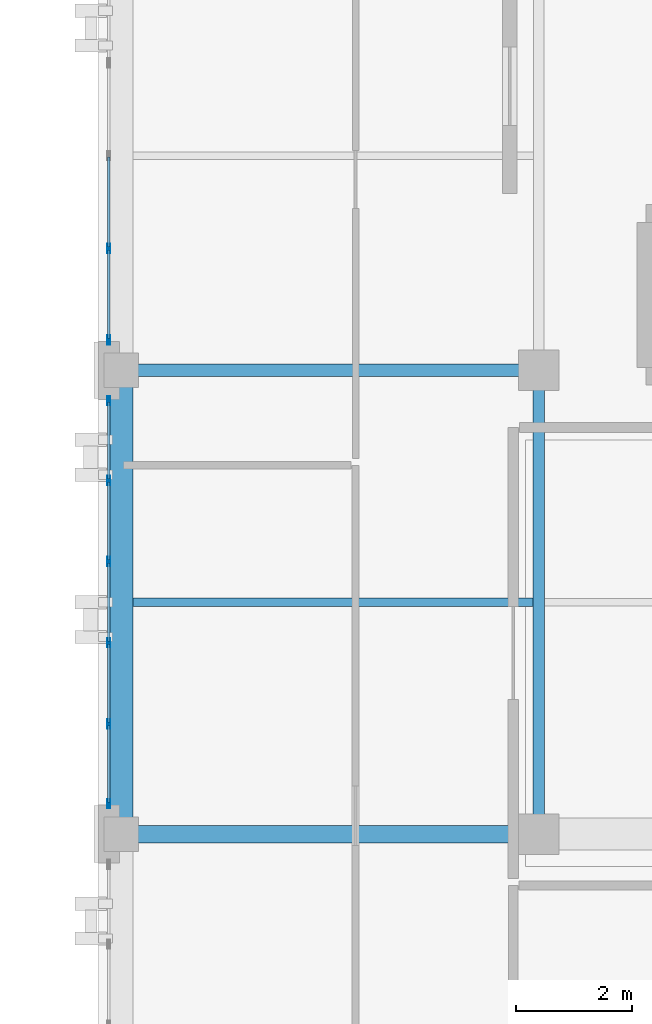
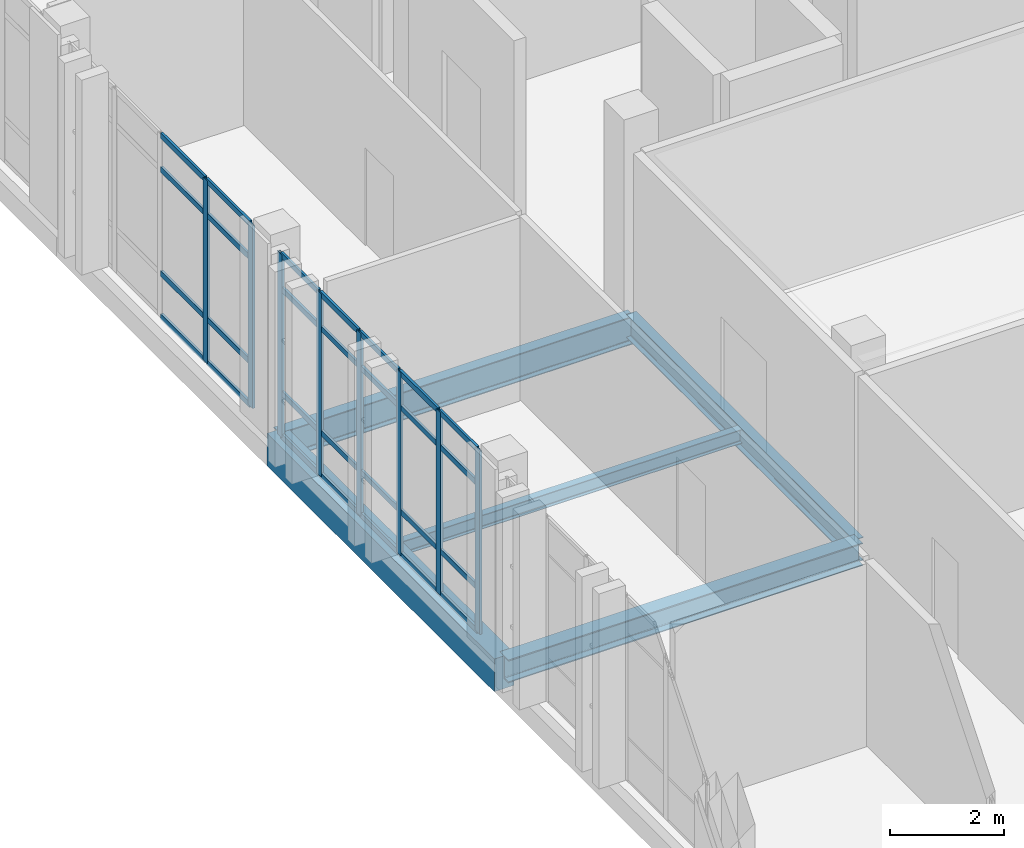
# One storey, part 31 of 77: 36 members, 5 beams, 2 elements without a shape of their own.
"""IFC4 building model written with IfcOpenShell, lengths in metres."""

from ifc_helpers import new_model, si_unit, direction, frame, origin, origin_2d, place, context, subcontext, project, spatial, rectangle, hollow_rectangle, i_section, extrude, material, layer, layer_set, material_profile, profile_set, type_object, element, aggregate, save


model = new_model("IFC4")

# Units and contexts
model_context = context("Model", 3, precision=1e-05, world=origin(), true_north=direction((0.0, 1.0)))
body_context = subcontext(model_context, "Body", "Model", "MODEL_VIEW")
ifc_project = project(units=[si_unit("LENGTHUNIT", "METRE"), si_unit("AREAUNIT", "SQUARE_METRE"), si_unit("VOLUMEUNIT", "CUBIC_METRE"), si_unit("PLANEANGLEUNIT", "RADIAN"), si_unit("MASSUNIT", "GRAM", prefix="KILO")], contexts=[model_context])

# Site, building, storey
site_placement = place(None, origin())
site = spatial("IfcSite", under=ifc_project, at=site_placement, CompositionType="ELEMENT")
building_placement = place(site_placement, origin())
building = spatial("IfcBuilding", under=site, at=building_placement, Name="Qalavern Law Courts", CompositionType="ELEMENT")
storey_placement = place(building_placement, frame((0.0, 0.0, 27.0)))
storey = spatial("IfcBuildingStorey", under=building, at=storey_placement, Name="L06", CompositionType="ELEMENT", Elevation=27.0)

# Curtain wall, members
ifc_material_1 = material(Name="Anodised aluminium and insulated glazing", Category="aluminium")
ifc_layer = layer(ifc_material_1, 0.159912109375)
ifc_layer_set = layer_set([ifc_layer], Name="Anodised aluminium and insulated glazing")
curtain_wall_type = type_object("IfcCurtainWallType", Name="ENV-CW-CHAMB", PredefinedType="USERDEFINED", material=ifc_layer_set)
curtain_wall_1_placement = place(storey_placement, origin())
curtain_wall_1 = element("IfcCurtainWall", 1, at=curtain_wall_1_placement, inside=storey, type_object=curtain_wall_type, Name="V4 unitised curtain wall L06 west 3", ObjectType="UNITISED CURTAIN WALL", PredefinedType="USERDEFINED")
ifc_material_2 = material(Name="Anodised aluminium", Category="aluminium")
ifc_material_profile_1 = material_profile(ifc_material_2, hollow_rectangle(XDim=0.048095703125, YDim=0.159912109375, WallThickness=0.00390625, at=origin_2d()), Name="ALU MULLION 48x160")
ifc_profile_set_1 = profile_set([ifc_material_profile_1], Name="Anodised aluminium")
member_type_1 = type_object("IfcMemberType", Name="ENV-CWM-48x160", PredefinedType="MULLION", material=ifc_profile_set_1)
member_1_placement = place(storey_placement, frame((84.385009765625, 67.5, 0.0), z_axis=(0.0, 0.0, 1.0), x_axis=(1.0, 0.0, 0.0)))
member_1 = element("IfcMember", 2, at=member_1_placement, type_object=member_type_1, Name="CW-04 mullion 4", PredefinedType="MULLION", context=body_context, shape_type="SweptSolid", body=[
    extrude(hollow_rectangle(XDim=0.048095703125, YDim=0.159912109375, WallThickness=0.00390625, at=origin_2d()), origin(), (0.0, 0.0, 1.0), 3.93505859375),
])
member_2_placement = place(storey_placement, frame((84.385009765625, 65.924072265625, 0.0), z_axis=(0.0, 0.0, 1.0), x_axis=(1.0, 0.0, 0.0)))
member_2 = element("IfcMember", 3, at=member_2_placement, type_object=member_type_1, Name="CW-04 mullion 5", PredefinedType="MULLION", context=body_context, shape_type="SweptSolid", body=[
    extrude(hollow_rectangle(XDim=0.048095703125, YDim=0.159912109375, WallThickness=0.00390625, at=origin_2d()), origin(), (0.0, 0.0, 1.0), 3.93505859375),
])

curtain_wall_2_placement = place(storey_placement, origin())
curtain_wall_2 = element("IfcCurtainWall", 4, at=curtain_wall_2_placement, inside=storey, type_object=curtain_wall_type, Name="V4 unitised curtain wall L06 west 4", ObjectType="UNITISED CURTAIN WALL", PredefinedType="USERDEFINED")
member_3_placement = place(storey_placement, frame((84.385009765625, 64.8759765625, 0.0), z_axis=(0.0, 0.0, 1.0), x_axis=(1.0, 0.0, 0.0)))
member_3 = element("IfcMember", 5, at=member_3_placement, type_object=member_type_1, Name="CW-04 mullion 1", PredefinedType="MULLION", context=body_context, shape_type="SweptSolid", body=[
    extrude(hollow_rectangle(XDim=0.048095703125, YDim=0.159912109375, WallThickness=0.00390625, at=origin_2d()), origin(), (0.0, 0.0, 1.0), 3.93505859375),
])
member_4_placement = place(storey_placement, frame((84.385009765625, 63.5, 0.0), z_axis=(0.0, 0.0, 1.0), x_axis=(1.0, 0.0, 0.0)))
member_4 = element("IfcMember", 6, at=member_4_placement, type_object=member_type_1, Name="CW-04 mullion 2", PredefinedType="MULLION", context=body_context, shape_type="SweptSolid", body=[
    extrude(hollow_rectangle(XDim=0.048095703125, YDim=0.159912109375, WallThickness=0.00390625, at=origin_2d()), origin(), (0.0, 0.0, 1.0), 3.93505859375),
])
member_5_placement = place(storey_placement, frame((84.385009765625, 62.10009765625, 0.0), z_axis=(0.0, 0.0, 1.0), x_axis=(1.0, 0.0, 0.0)))
member_5 = element("IfcMember", 7, at=member_5_placement, type_object=member_type_1, Name="CW-04 mullion 3", PredefinedType="MULLION", context=body_context, shape_type="SweptSolid", body=[
    extrude(hollow_rectangle(XDim=0.048095703125, YDim=0.159912109375, WallThickness=0.00390625, at=origin_2d()), origin(), (0.0, 0.0, 1.0), 3.93505859375),
])
member_6_placement = place(storey_placement, frame((84.385009765625, 60.699951171875, 0.0), z_axis=(0.0, 0.0, 1.0), x_axis=(1.0, 0.0, 0.0)))
member_6 = element("IfcMember", 8, at=member_6_placement, type_object=member_type_1, Name="CW-04 mullion 4", PredefinedType="MULLION", context=body_context, shape_type="SweptSolid", body=[
    extrude(hollow_rectangle(XDim=0.048095703125, YDim=0.159912109375, WallThickness=0.00390625, at=origin_2d()), origin(), (0.0, 0.0, 1.0), 3.93505859375),
])
member_7_placement = place(storey_placement, frame((84.385009765625, 59.300048828125, 0.0), z_axis=(0.0, 0.0, 1.0), x_axis=(1.0, 0.0, 0.0)))
member_7 = element("IfcMember", 9, at=member_7_placement, type_object=member_type_1, Name="CW-04 mullion 5", PredefinedType="MULLION", context=body_context, shape_type="SweptSolid", body=[
    extrude(hollow_rectangle(XDim=0.048095703125, YDim=0.159912109375, WallThickness=0.00390625, at=origin_2d()), origin(), (0.0, 0.0, 1.0), 3.93505859375),
])
member_8_placement = place(storey_placement, frame((84.385009765625, 57.924072265625, 0.0), z_axis=(0.0, 0.0, 1.0), x_axis=(1.0, 0.0, 0.0)))
member_8 = element("IfcMember", 10, at=member_8_placement, type_object=member_type_1, Name="CW-04 mullion 6", PredefinedType="MULLION", context=body_context, shape_type="SweptSolid", body=[
    extrude(hollow_rectangle(XDim=0.048095703125, YDim=0.159912109375, WallThickness=0.00390625, at=origin_2d()), origin(), (0.0, 0.0, 1.0), 3.93505859375),
])

# Member
ifc_material_profile_2 = material_profile(ifc_material_2, hollow_rectangle(XDim=0.048095703125, YDim=0.1201171875, WallThickness=0.00390625, at=origin_2d()), Name="ALU TRANSOM 48x120")
ifc_profile_set_2 = profile_set([ifc_material_profile_2], Name="Anodised aluminium")
member_type_2 = type_object("IfcMemberType", Name="ENV-CWT-48x120", PredefinedType="USERDEFINED", material=ifc_profile_set_2)
member_9_placement = place(storey_placement, frame((84.385009765625, 69.075927734375, 0.02392578125), z_axis=(0.0, -1.0, 0.0), x_axis=(1.0, 0.0, 0.0)))
member_9 = element("IfcMember", 11, at=member_9_placement, type_object=member_type_2, Name="CW-04 transom 3.1", ObjectType="TRANSOM", PredefinedType="USERDEFINED", context=body_context, shape_type="SweptSolid", body=[
    extrude(hollow_rectangle(XDim=0.048095703125, YDim=0.1201171875, WallThickness=0.00390625, at=origin_2d()), origin(), (0.0, 0.0, 1.0), 1.552001953125),
])

member_10_placement = place(storey_placement, frame((84.385009765625, 69.075927734375, 0.949951171875), z_axis=(0.0, -1.0, 0.0), x_axis=(1.0, 0.0, 0.0)))
member_10 = element("IfcMember", 12, at=member_10_placement, type_object=member_type_2, Name="CW-04 transom 3.2", ObjectType="TRANSOM", PredefinedType="USERDEFINED", context=body_context, shape_type="SweptSolid", body=[
    extrude(hollow_rectangle(XDim=0.048095703125, YDim=0.1201171875, WallThickness=0.00390625, at=origin_2d()), origin(), (0.0, 0.0, 1.0), 1.552001953125),
])

member_11_placement = place(storey_placement, frame((84.385009765625, 69.075927734375, 3.18505859375), z_axis=(0.0, -1.0, 0.0), x_axis=(1.0, 0.0, 0.0)))
member_11 = element("IfcMember", 13, at=member_11_placement, type_object=member_type_2, Name="CW-04 transom 3.3", ObjectType="TRANSOM", PredefinedType="USERDEFINED", context=body_context, shape_type="SweptSolid", body=[
    extrude(hollow_rectangle(XDim=0.048095703125, YDim=0.1201171875, WallThickness=0.00390625, at=origin_2d()), origin(), (0.0, 0.0, 1.0), 1.552001953125),
])

member_12_placement = place(storey_placement, frame((84.385009765625, 69.075927734375, 3.910888671875), z_axis=(0.0, -1.0, 0.0), x_axis=(1.0, 0.0, 0.0)))
member_12 = element("IfcMember", 14, at=member_12_placement, type_object=member_type_2, Name="CW-04 transom 3.4", ObjectType="TRANSOM", PredefinedType="USERDEFINED", context=body_context, shape_type="SweptSolid", body=[
    extrude(hollow_rectangle(XDim=0.048095703125, YDim=0.1201171875, WallThickness=0.00390625, at=origin_2d()), origin(), (0.0, 0.0, 1.0), 1.552001953125),
])

member_13_placement = place(storey_placement, frame((84.385009765625, 67.47607421875, 0.02392578125), z_axis=(0.0, -1.0, 0.0), x_axis=(1.0, 0.0, 0.0)))
member_13 = element("IfcMember", 15, at=member_13_placement, type_object=member_type_2, Name="CW-04 transom 4.1", ObjectType="TRANSOM", PredefinedType="USERDEFINED", context=body_context, shape_type="SweptSolid", body=[
    extrude(hollow_rectangle(XDim=0.048095703125, YDim=0.1201171875, WallThickness=0.00390625, at=origin_2d()), origin(), (0.0, 0.0, 1.0), 1.528076171875),
])

member_14_placement = place(storey_placement, frame((84.385009765625, 67.47607421875, 0.949951171875), z_axis=(0.0, -1.0, 0.0), x_axis=(1.0, 0.0, 0.0)))
member_14 = element("IfcMember", 16, at=member_14_placement, type_object=member_type_2, Name="CW-04 transom 4.2", ObjectType="TRANSOM", PredefinedType="USERDEFINED", context=body_context, shape_type="SweptSolid", body=[
    extrude(hollow_rectangle(XDim=0.048095703125, YDim=0.1201171875, WallThickness=0.00390625, at=origin_2d()), origin(), (0.0, 0.0, 1.0), 1.528076171875),
])

member_15_placement = place(storey_placement, frame((84.385009765625, 67.47607421875, 3.18505859375), z_axis=(0.0, -1.0, 0.0), x_axis=(1.0, 0.0, 0.0)))
member_15 = element("IfcMember", 17, at=member_15_placement, type_object=member_type_2, Name="CW-04 transom 4.3", ObjectType="TRANSOM", PredefinedType="USERDEFINED", context=body_context, shape_type="SweptSolid", body=[
    extrude(hollow_rectangle(XDim=0.048095703125, YDim=0.1201171875, WallThickness=0.00390625, at=origin_2d()), origin(), (0.0, 0.0, 1.0), 1.528076171875),
])

member_16_placement = place(storey_placement, frame((84.385009765625, 67.47607421875, 3.910888671875), z_axis=(0.0, -1.0, 0.0), x_axis=(1.0, 0.0, 0.0)))
member_16 = element("IfcMember", 18, at=member_16_placement, type_object=member_type_2, Name="CW-04 transom 4.4", ObjectType="TRANSOM", PredefinedType="USERDEFINED", context=body_context, shape_type="SweptSolid", body=[
    extrude(hollow_rectangle(XDim=0.048095703125, YDim=0.1201171875, WallThickness=0.00390625, at=origin_2d()), origin(), (0.0, 0.0, 1.0), 1.528076171875),
])

aggregate(curtain_wall_1, [member_1, member_2, member_9, member_10, member_11, member_12, member_13, member_14, member_15, member_16])

member_17_placement = place(storey_placement, frame((84.385009765625, 64.85205078125, 0.02392578125), z_axis=(0.0, -1.0, 0.0), x_axis=(1.0, 0.0, 0.0)))
member_17 = element("IfcMember", 19, at=member_17_placement, type_object=member_type_2, Name="CW-04 transom 1.1", ObjectType="TRANSOM", PredefinedType="USERDEFINED", context=body_context, shape_type="SweptSolid", body=[
    extrude(hollow_rectangle(XDim=0.048095703125, YDim=0.1201171875, WallThickness=0.00390625, at=origin_2d()), origin(), (0.0, 0.0, 1.0), 1.328125),
])

member_18_placement = place(storey_placement, frame((84.385009765625, 64.85205078125, 0.949951171875), z_axis=(0.0, -1.0, 0.0), x_axis=(1.0, 0.0, 0.0)))
member_18 = element("IfcMember", 20, at=member_18_placement, type_object=member_type_2, Name="CW-04 transom 1.2", ObjectType="TRANSOM", PredefinedType="USERDEFINED", context=body_context, shape_type="SweptSolid", body=[
    extrude(hollow_rectangle(XDim=0.048095703125, YDim=0.1201171875, WallThickness=0.00390625, at=origin_2d()), origin(), (0.0, 0.0, 1.0), 1.328125),
])

member_19_placement = place(storey_placement, frame((84.385009765625, 64.85205078125, 3.18505859375), z_axis=(0.0, -1.0, 0.0), x_axis=(1.0, 0.0, 0.0)))
member_19 = element("IfcMember", 21, at=member_19_placement, type_object=member_type_2, Name="CW-04 transom 1.3", ObjectType="TRANSOM", PredefinedType="USERDEFINED", context=body_context, shape_type="SweptSolid", body=[
    extrude(hollow_rectangle(XDim=0.048095703125, YDim=0.1201171875, WallThickness=0.00390625, at=origin_2d()), origin(), (0.0, 0.0, 1.0), 1.328125),
])

member_20_placement = place(storey_placement, frame((84.385009765625, 64.85205078125, 3.910888671875), z_axis=(0.0, -1.0, 0.0), x_axis=(1.0, 0.0, 0.0)))
member_20 = element("IfcMember", 22, at=member_20_placement, type_object=member_type_2, Name="CW-04 transom 1.4", ObjectType="TRANSOM", PredefinedType="USERDEFINED", context=body_context, shape_type="SweptSolid", body=[
    extrude(hollow_rectangle(XDim=0.048095703125, YDim=0.1201171875, WallThickness=0.00390625, at=origin_2d()), origin(), (0.0, 0.0, 1.0), 1.328125),
])

member_21_placement = place(storey_placement, frame((84.385009765625, 63.47607421875, 0.02392578125), z_axis=(0.0, -1.0, 0.0), x_axis=(1.0, 0.0, 0.0)))
member_21 = element("IfcMember", 23, at=member_21_placement, type_object=member_type_2, Name="CW-04 transom 2.1", ObjectType="TRANSOM", PredefinedType="USERDEFINED", context=body_context, shape_type="SweptSolid", body=[
    extrude(hollow_rectangle(XDim=0.048095703125, YDim=0.1201171875, WallThickness=0.00390625, at=origin_2d()), origin(), (0.0, 0.0, 1.0), 1.35205078125),
])

member_22_placement = place(storey_placement, frame((84.385009765625, 63.47607421875, 0.949951171875), z_axis=(0.0, -1.0, 0.0), x_axis=(1.0, 0.0, 0.0)))
member_22 = element("IfcMember", 24, at=member_22_placement, type_object=member_type_2, Name="CW-04 transom 2.2", ObjectType="TRANSOM", PredefinedType="USERDEFINED", context=body_context, shape_type="SweptSolid", body=[
    extrude(hollow_rectangle(XDim=0.048095703125, YDim=0.1201171875, WallThickness=0.00390625, at=origin_2d()), origin(), (0.0, 0.0, 1.0), 1.35205078125),
])

member_23_placement = place(storey_placement, frame((84.385009765625, 63.47607421875, 3.18505859375), z_axis=(0.0, -1.0, 0.0), x_axis=(1.0, 0.0, 0.0)))
member_23 = element("IfcMember", 25, at=member_23_placement, type_object=member_type_2, Name="CW-04 transom 2.3", ObjectType="TRANSOM", PredefinedType="USERDEFINED", context=body_context, shape_type="SweptSolid", body=[
    extrude(hollow_rectangle(XDim=0.048095703125, YDim=0.1201171875, WallThickness=0.00390625, at=origin_2d()), origin(), (0.0, 0.0, 1.0), 1.35205078125),
])

member_24_placement = place(storey_placement, frame((84.385009765625, 63.47607421875, 3.910888671875), z_axis=(0.0, -1.0, 0.0), x_axis=(1.0, 0.0, 0.0)))
member_24 = element("IfcMember", 26, at=member_24_placement, type_object=member_type_2, Name="CW-04 transom 2.4", ObjectType="TRANSOM", PredefinedType="USERDEFINED", context=body_context, shape_type="SweptSolid", body=[
    extrude(hollow_rectangle(XDim=0.048095703125, YDim=0.1201171875, WallThickness=0.00390625, at=origin_2d()), origin(), (0.0, 0.0, 1.0), 1.35205078125),
])

member_25_placement = place(storey_placement, frame((84.385009765625, 62.075927734375, 0.02392578125), z_axis=(0.0, -1.0, 0.0), x_axis=(1.0, 0.0, 0.0)))
member_25 = element("IfcMember", 27, at=member_25_placement, type_object=member_type_2, Name="CW-04 transom 3.1", ObjectType="TRANSOM", PredefinedType="USERDEFINED", context=body_context, shape_type="SweptSolid", body=[
    extrude(hollow_rectangle(XDim=0.048095703125, YDim=0.1201171875, WallThickness=0.00390625, at=origin_2d()), origin(), (0.0, 0.0, 1.0), 1.351806640625),
])

member_26_placement = place(storey_placement, frame((84.385009765625, 62.075927734375, 0.949951171875), z_axis=(0.0, -1.0, 0.0), x_axis=(1.0, 0.0, 0.0)))
member_26 = element("IfcMember", 28, at=member_26_placement, type_object=member_type_2, Name="CW-04 transom 3.2", ObjectType="TRANSOM", PredefinedType="USERDEFINED", context=body_context, shape_type="SweptSolid", body=[
    extrude(hollow_rectangle(XDim=0.048095703125, YDim=0.1201171875, WallThickness=0.00390625, at=origin_2d()), origin(), (0.0, 0.0, 1.0), 1.351806640625),
])

member_27_placement = place(storey_placement, frame((84.385009765625, 62.075927734375, 3.18505859375), z_axis=(0.0, -1.0, 0.0), x_axis=(1.0, 0.0, 0.0)))
member_27 = element("IfcMember", 29, at=member_27_placement, type_object=member_type_2, Name="CW-04 transom 3.3", ObjectType="TRANSOM", PredefinedType="USERDEFINED", context=body_context, shape_type="SweptSolid", body=[
    extrude(hollow_rectangle(XDim=0.048095703125, YDim=0.1201171875, WallThickness=0.00390625, at=origin_2d()), origin(), (0.0, 0.0, 1.0), 1.351806640625),
])

member_28_placement = place(storey_placement, frame((84.385009765625, 62.075927734375, 3.910888671875), z_axis=(0.0, -1.0, 0.0), x_axis=(1.0, 0.0, 0.0)))
member_28 = element("IfcMember", 30, at=member_28_placement, type_object=member_type_2, Name="CW-04 transom 3.4", ObjectType="TRANSOM", PredefinedType="USERDEFINED", context=body_context, shape_type="SweptSolid", body=[
    extrude(hollow_rectangle(XDim=0.048095703125, YDim=0.1201171875, WallThickness=0.00390625, at=origin_2d()), origin(), (0.0, 0.0, 1.0), 1.351806640625),
])

member_29_placement = place(storey_placement, frame((84.385009765625, 60.676025390625, 0.02392578125), z_axis=(0.0, -1.0, 0.0), x_axis=(1.0, 0.0, 0.0)))
member_29 = element("IfcMember", 31, at=member_29_placement, type_object=member_type_2, Name="CW-04 transom 4.1", ObjectType="TRANSOM", PredefinedType="USERDEFINED", context=body_context, shape_type="SweptSolid", body=[
    extrude(hollow_rectangle(XDim=0.048095703125, YDim=0.1201171875, WallThickness=0.00390625, at=origin_2d()), origin(), (0.0, 0.0, 1.0), 1.35205078125),
])

member_30_placement = place(storey_placement, frame((84.385009765625, 60.676025390625, 0.949951171875), z_axis=(0.0, -1.0, 0.0), x_axis=(1.0, 0.0, 0.0)))
member_30 = element("IfcMember", 32, at=member_30_placement, type_object=member_type_2, Name="CW-04 transom 4.2", ObjectType="TRANSOM", PredefinedType="USERDEFINED", context=body_context, shape_type="SweptSolid", body=[
    extrude(hollow_rectangle(XDim=0.048095703125, YDim=0.1201171875, WallThickness=0.00390625, at=origin_2d()), origin(), (0.0, 0.0, 1.0), 1.35205078125),
])

member_31_placement = place(storey_placement, frame((84.385009765625, 60.676025390625, 3.18505859375), z_axis=(0.0, -1.0, 0.0), x_axis=(1.0, 0.0, 0.0)))
member_31 = element("IfcMember", 33, at=member_31_placement, type_object=member_type_2, Name="CW-04 transom 4.3", ObjectType="TRANSOM", PredefinedType="USERDEFINED", context=body_context, shape_type="SweptSolid", body=[
    extrude(hollow_rectangle(XDim=0.048095703125, YDim=0.1201171875, WallThickness=0.00390625, at=origin_2d()), origin(), (0.0, 0.0, 1.0), 1.35205078125),
])

member_32_placement = place(storey_placement, frame((84.385009765625, 60.676025390625, 3.910888671875), z_axis=(0.0, -1.0, 0.0), x_axis=(1.0, 0.0, 0.0)))
member_32 = element("IfcMember", 34, at=member_32_placement, type_object=member_type_2, Name="CW-04 transom 4.4", ObjectType="TRANSOM", PredefinedType="USERDEFINED", context=body_context, shape_type="SweptSolid", body=[
    extrude(hollow_rectangle(XDim=0.048095703125, YDim=0.1201171875, WallThickness=0.00390625, at=origin_2d()), origin(), (0.0, 0.0, 1.0), 1.35205078125),
])

member_33_placement = place(storey_placement, frame((84.385009765625, 59.27587890625, 0.02392578125), z_axis=(0.0, -1.0, 0.0), x_axis=(1.0, 0.0, 0.0)))
member_33 = element("IfcMember", 35, at=member_33_placement, type_object=member_type_2, Name="CW-04 transom 5.1", ObjectType="TRANSOM", PredefinedType="USERDEFINED", context=body_context, shape_type="SweptSolid", body=[
    extrude(hollow_rectangle(XDim=0.048095703125, YDim=0.1201171875, WallThickness=0.00390625, at=origin_2d()), origin(), (0.0, 0.0, 1.0), 1.327880859375),
])

member_34_placement = place(storey_placement, frame((84.385009765625, 59.27587890625, 0.949951171875), z_axis=(0.0, -1.0, 0.0), x_axis=(1.0, 0.0, 0.0)))
member_34 = element("IfcMember", 36, at=member_34_placement, type_object=member_type_2, Name="CW-04 transom 5.2", ObjectType="TRANSOM", PredefinedType="USERDEFINED", context=body_context, shape_type="SweptSolid", body=[
    extrude(hollow_rectangle(XDim=0.048095703125, YDim=0.1201171875, WallThickness=0.00390625, at=origin_2d()), origin(), (0.0, 0.0, 1.0), 1.327880859375),
])

member_35_placement = place(storey_placement, frame((84.385009765625, 59.27587890625, 3.18505859375), z_axis=(0.0, -1.0, 0.0), x_axis=(1.0, 0.0, 0.0)))
member_35 = element("IfcMember", 37, at=member_35_placement, type_object=member_type_2, Name="CW-04 transom 5.3", ObjectType="TRANSOM", PredefinedType="USERDEFINED", context=body_context, shape_type="SweptSolid", body=[
    extrude(hollow_rectangle(XDim=0.048095703125, YDim=0.1201171875, WallThickness=0.00390625, at=origin_2d()), origin(), (0.0, 0.0, 1.0), 1.327880859375),
])

member_36_placement = place(storey_placement, frame((84.385009765625, 59.27587890625, 3.910888671875), z_axis=(0.0, -1.0, 0.0), x_axis=(1.0, 0.0, 0.0)))
member_36 = element("IfcMember", 38, at=member_36_placement, type_object=member_type_2, Name="CW-04 transom 5.4", ObjectType="TRANSOM", PredefinedType="USERDEFINED", context=body_context, shape_type="SweptSolid", body=[
    extrude(hollow_rectangle(XDim=0.048095703125, YDim=0.1201171875, WallThickness=0.00390625, at=origin_2d()), origin(), (0.0, 0.0, 1.0), 1.327880859375),
])

aggregate(curtain_wall_2, [member_3, member_4, member_5, member_6, member_7, member_8, member_17, member_18, member_19, member_20, member_21, member_22, member_23, member_24, member_25, member_26, member_27, member_28, member_29, member_30, member_31, member_32, member_33, member_34, member_35, member_36])

# Beams
ifc_material_3 = material(Name="Steel S355", Category="steel")
ifc_material_profile_3 = material_profile(ifc_material_3, i_section(OverallWidth=0.300048828125, OverallDepth=0.489990234375, WebThickness=0.011962890625, FlangeThickness=0.02294921875, FilletRadius=0.027099609375, at=origin_2d()), Name="HEA 500")
ifc_profile_set_3 = profile_set([ifc_material_profile_3], Name="Steel S355")
beam_type_1 = type_object("IfcBeamType", Name="STR-BM-HEA500", PredefinedType="BEAM", material=ifc_profile_set_3)
beam_1_placement = place(storey_placement, frame((84.60009765625, 57.39990234375, -0.514892578125), z_axis=(1.0, 0.0, 0.0), x_axis=(0.0, 1.0, 0.0)))
element("IfcBeam", 39, at=beam_1_placement, inside=storey, type_object=beam_type_1, Name="V4 X-beam 3-1 L06", PredefinedType="BEAM", context=body_context, shape_type="SweptSolid", body=[
    extrude(i_section(OverallWidth=0.300048828125, OverallDepth=0.489990234375, WebThickness=0.011962890625, FlangeThickness=0.02294921875, FilletRadius=0.027099609375, at=origin_2d()), origin(), (0.0, 0.0, 1.0), 7.199951171875),
])
ifc_material_profile_4 = material_profile(ifc_material_3, i_section(OverallWidth=0.199951171875, OverallDepth=0.5, WebThickness=0.01025390625, FlangeThickness=0.01611328125, FilletRadius=0.02099609375, at=origin_2d()), Name="IPE 500")
ifc_profile_set_4 = profile_set([ifc_material_profile_4], Name="Steel S355")
beam_type_2 = type_object("IfcBeamType", Name="STR-BM-IPE500", PredefinedType="BEAM", material=ifc_profile_set_4)
beam_2_placement = place(storey_placement, frame((91.800048828125, 57.39990234375, -0.52001953125), z_axis=(0.0, 1.0, 0.0), x_axis=(-1.0, 0.0, 0.0)))
element("IfcBeam", 40, at=beam_2_placement, inside=storey, type_object=beam_type_2, Name="V4 Y-beam 2-2 L06", PredefinedType="BEAM", context=body_context, shape_type="SweptSolid", body=[
    extrude(i_section(OverallWidth=0.199951171875, OverallDepth=0.5, WebThickness=0.01025390625, FlangeThickness=0.01611328125, FilletRadius=0.02099609375, at=origin_2d()), origin(), (0.0, 0.0, 1.0), 8.0),
])
ifc_material_profile_5 = material_profile(ifc_material_3, i_section(OverallWidth=0.219970703125, OverallDepth=0.60009765625, WebThickness=0.011962890625, FlangeThickness=0.01904296875, FilletRadius=0.02392578125, at=origin_2d()), Name="IPE 600")
ifc_profile_set_5 = profile_set([ifc_material_profile_5], Name="Steel S355")
beam_type_3 = type_object("IfcBeamType", Name="STR-BM-IPE600", PredefinedType="BEAM", material=ifc_profile_set_5)
beam_3_placement = place(storey_placement, frame((84.60009765625, 65.39990234375, -0.570068359375), z_axis=(1.0, 0.0, 0.0), x_axis=(0.0, 1.0, 0.0)))
element("IfcBeam", 41, at=beam_3_placement, inside=storey, type_object=beam_type_3, Name="V4 X-beam 4-1 L06", PredefinedType="BEAM", context=body_context, shape_type="SweptSolid", body=[
    extrude(i_section(OverallWidth=0.219970703125, OverallDepth=0.60009765625, WebThickness=0.011962890625, FlangeThickness=0.01904296875, FilletRadius=0.02392578125, at=origin_2d()), origin(), (0.0, 0.0, 1.0), 7.199951171875),
])
ifc_material_profile_6 = material_profile(ifc_material_3, i_section(OverallWidth=0.14990234375, OverallDepth=0.300048828125, WebThickness=0.007080078125, FlangeThickness=0.0107421875, FilletRadius=0.014892578125, at=origin_2d()), Name="IPE 300")
ifc_profile_set_6 = profile_set([ifc_material_profile_6], Name="Steel S355")
beam_type_4 = type_object("IfcBeamType", Name="STR-JST-IPE300", PredefinedType="JOIST", material=ifc_profile_set_6)
beam_4_placement = place(storey_placement, frame((84.798095703125, 61.39990234375, -0.419921875), z_axis=(1.0, 0.0, 0.0), x_axis=(0.0, 1.0, 0.0)))
element("IfcBeam", 42, at=beam_4_placement, inside=storey, type_object=beam_type_4, Name="V4 secondary joist 1.3.1 L06", PredefinedType="JOIST", context=body_context, shape_type="SweptSolid", body=[
    extrude(i_section(OverallWidth=0.14990234375, OverallDepth=0.300048828125, WebThickness=0.007080078125, FlangeThickness=0.0107421875, FilletRadius=0.014892578125, at=origin_2d()), origin(), (0.0, 0.0, 1.0), 6.90380859375),
])
ifc_material_4 = material(Name="Concrete C40/50", Category="concrete")
ifc_material_profile_7 = material_profile(ifc_material_4, rectangle(XDim=0.39990234375, YDim=0.699951171875, at=origin_2d()), Name="RC 400x700")
ifc_profile_set_7 = profile_set([ifc_material_profile_7], Name="Concrete C40/50")
beam_type_5 = type_object("IfcBeamType", Name="STR-SP-RC400x700", PredefinedType="SPANDREL", material=ifc_profile_set_7)
beam_5_placement = place(storey_placement, frame((84.60009765625, 57.39990234375, -0.6201171875), z_axis=(0.0, 1.0, 0.0), x_axis=(-1.0, 0.0, 0.0)))
element("IfcBeam", 43, at=beam_5_placement, inside=storey, type_object=beam_type_5, Name="V4 Y-beam 1-3 L06", PredefinedType="SPANDREL", context=body_context, shape_type="SweptSolid", body=[
    extrude(rectangle(XDim=0.39990234375, YDim=0.699951171875, at=origin_2d()), origin(), (0.0, 0.0, 1.0), 8.0),
])

save(model, "model.ifc")
